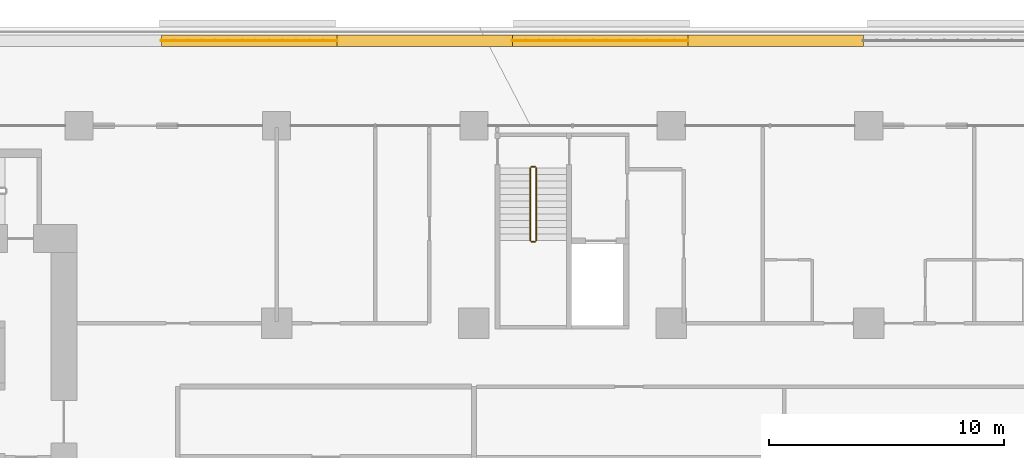
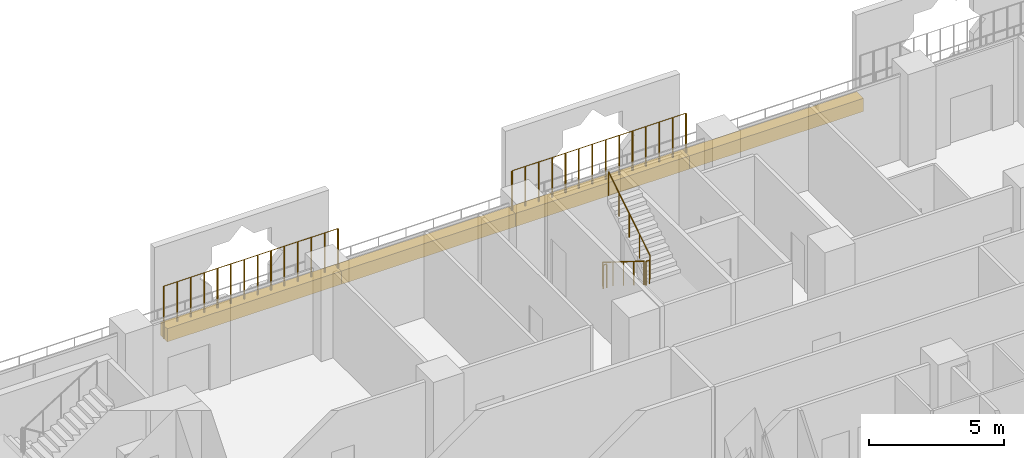
# One storey, part 28 of 29: 6 railings, 4 coverings.
"""IFC4 building model written with IfcOpenShell, lengths in metres."""

from ifc_helpers import new_model, si_unit, direction, frame, origin, origin_2d, place, context, subcontext, project, spatial, rectangle, circle, extrude, material, material_profile, profile_set, type_object, element, save


model = new_model("IFC4")

# Units and contexts
model_context = context("Model", 3, precision=1e-05, world=origin(), true_north=direction((0.0, 1.0)))
body_context = subcontext(model_context, "Body", "Model", "MODEL_VIEW")
ifc_project = project(units=[si_unit("LENGTHUNIT", "METRE"), si_unit("AREAUNIT", "SQUARE_METRE"), si_unit("VOLUMEUNIT", "CUBIC_METRE"), si_unit("PLANEANGLEUNIT", "RADIAN"), si_unit("MASSUNIT", "GRAM", prefix="KILO")], contexts=[model_context])

# Site, building, storey
site_placement = place(None, origin())
site = spatial("IfcSite", under=ifc_project, at=site_placement, CompositionType="ELEMENT")
building_placement = place(site_placement, origin())
building = spatial("IfcBuilding", under=site, at=building_placement, Name="Kawkab Arch Medical Tower", CompositionType="ELEMENT")
storey_placement = place(building_placement, frame((0.0, 0.0, 60.199951171875)))
storey = spatial("IfcBuildingStorey", under=building, at=storey_placement, Name="L13", CompositionType="ELEMENT", Elevation=60.199951171875)

# Coverings
ifc_material_1 = material(Name="Planting soil in a precast trough", Category="concrete")
ifc_material_profile = material_profile(ifc_material_1, rectangle(XDim=0.5, YDim=0.60009765625, at=origin_2d()), Name="Trough 500x600")
ifc_profile_set = profile_set([ifc_material_profile], Name="Planting soil in a precast trough")
covering_type = type_object("IfcCoveringType", Name="Planter trough 500 x 600", PredefinedType="USERDEFINED", material=ifc_profile_set)
for number, where, z_axis, x_axis, name in (
    (1, (28.695068359375, 3.6201171875, 0.300048828125), (1.0, 0.0, 0.0), (0.0, 1.0, 0.0), "Planter L13.LOG-01-01.23"),
    (2, (36.1650390625, 3.6201171875, 0.300048828125), (1.0, 0.0, 0.0), (0.0, 1.0, 0.0), "Planter L13.LOG-01-01.24"),
    (3, (43.635009765625, 3.6201171875, 0.300048828125), (1.0, 0.0, 0.0), (0.0, 1.0, 0.0), "Planter L13.LOG-01-01.25"),
):
    element("IfcCovering", number, at=place(storey_placement, frame(where, z_axis=z_axis, x_axis=x_axis)), inside=storey, type_object=covering_type, Name=name, ObjectType="PLANTER", PredefinedType="USERDEFINED", context=body_context, shape_type="SweptSolid", body=[
        extrude(rectangle(XDim=0.5, YDim=0.60009765625, at=origin_2d()), origin(), (0.0, 0.0, 1.0), 7.469970703125),
    ])
covering_placement = place(storey_placement, frame((51.10498046875, 3.6201171875, 0.300048828125), z_axis=(1.0, 0.0, 0.0), x_axis=(0.0, 1.0, 0.0)))
element("IfcCovering", 4, at=covering_placement, inside=storey, type_object=covering_type, Name="Planter L13.LOG-01-01.26", ObjectType="PLANTER", PredefinedType="USERDEFINED", context=body_context, shape_type="SweptSolid", body=[
    extrude(rectangle(XDim=0.5, YDim=0.60009765625, at=origin_2d()), origin(), (0.0, 0.0, 1.0), 7.470947265625),
])

# Railings
ifc_material_2 = material(Name="Bronze anodised aluminium trellis for climbing plants", Category="aluminium")
railing_type_1 = type_object("IfcRailingType", Name="Planting trellis 2400", PredefinedType="USERDEFINED", material=ifc_material_2)
railing_1_placement = place(storey_placement, frame((28.695068359375, 3.6201171875, 0.0)))
element("IfcRailing", 5, at=railing_1_placement, inside=storey, type_object=railing_type_1, Name="Planting trellis L13.LOG-01-01.23", ObjectType="TRELLIS", PredefinedType="USERDEFINED", context=body_context, shape_type="SweptSolid", body=[
    extrude(circle(Radius=0.01513671875, at=origin_2d()), frame((0.0, 0.0, 2.384765625), z_axis=(1.0, 0.0, 0.0), x_axis=(0.0, 1.0, 0.0)), (0.0, 0.0, 1.0), 7.469970703125),
    extrude(circle(Radius=0.030029296875, at=origin_2d()), origin(), (0.0, 0.0, 1.0), 2.369873046875),
    extrude(circle(Radius=0.030029296875, at=origin_2d()), frame((0.57470703125, 0.0, 0.0)), (0.0, 0.0, 1.0), 2.369873046875),
    extrude(circle(Radius=0.030029296875, at=origin_2d()), frame((1.149169921875, 0.0, 0.0)), (0.0, 0.0, 1.0), 2.369873046875),
    extrude(circle(Radius=0.030029296875, at=origin_2d()), frame((1.723876953125, 0.0, 0.0)), (0.0, 0.0, 1.0), 2.369873046875),
    extrude(circle(Radius=0.030029296875, at=origin_2d()), frame((2.29833984375, 0.0, 0.0)), (0.0, 0.0, 1.0), 2.369873046875),
    extrude(circle(Radius=0.030029296875, at=origin_2d()), frame((2.873046875, 0.0, 0.0)), (0.0, 0.0, 1.0), 2.369873046875),
    extrude(circle(Radius=0.030029296875, at=origin_2d()), frame((3.44775390625, 0.0, 0.0)), (0.0, 0.0, 1.0), 2.369873046875),
    extrude(circle(Radius=0.030029296875, at=origin_2d()), frame((4.022216796875, 0.0, 0.0)), (0.0, 0.0, 1.0), 2.369873046875),
    extrude(circle(Radius=0.030029296875, at=origin_2d()), frame((4.596923828125, 0.0, 0.0)), (0.0, 0.0, 1.0), 2.369873046875),
    extrude(circle(Radius=0.030029296875, at=origin_2d()), frame((5.171630859375, 0.0, 0.0)), (0.0, 0.0, 1.0), 2.369873046875),
    extrude(circle(Radius=0.030029296875, at=origin_2d()), frame((5.74609375, 0.0, 0.0)), (0.0, 0.0, 1.0), 2.369873046875),
    extrude(circle(Radius=0.030029296875, at=origin_2d()), frame((6.32080078125, 0.0, 0.0)), (0.0, 0.0, 1.0), 2.369873046875),
    extrude(circle(Radius=0.030029296875, at=origin_2d()), frame((6.895263671875, 0.0, 0.0)), (0.0, 0.0, 1.0), 2.369873046875),
    extrude(circle(Radius=0.030029296875, at=origin_2d()), frame((7.469970703125, 0.0, 0.0)), (0.0, 0.0, 1.0), 2.369873046875),
])
railing_2_placement = place(storey_placement, frame((43.635009765625, 3.6201171875, 0.0)))
element("IfcRailing", 6, at=railing_2_placement, inside=storey, type_object=railing_type_1, Name="Planting trellis L13.LOG-01-01.25", ObjectType="TRELLIS", PredefinedType="USERDEFINED", context=body_context, shape_type="SweptSolid", body=[
    extrude(circle(Radius=0.01513671875, at=origin_2d()), frame((0.0, 0.0, 2.384765625), z_axis=(1.0, 0.0, 0.0), x_axis=(0.0, 1.0, 0.0)), (0.0, 0.0, 1.0), 7.469970703125),
    extrude(circle(Radius=0.030029296875, at=origin_2d()), origin(), (0.0, 0.0, 1.0), 2.369873046875),
    extrude(circle(Radius=0.030029296875, at=origin_2d()), frame((0.57470703125, 0.0, 0.0)), (0.0, 0.0, 1.0), 2.369873046875),
    extrude(circle(Radius=0.030029296875, at=origin_2d()), frame((1.149169921875, 0.0, 0.0)), (0.0, 0.0, 1.0), 2.369873046875),
    extrude(circle(Radius=0.030029296875, at=origin_2d()), frame((1.723876953125, 0.0, 0.0)), (0.0, 0.0, 1.0), 2.369873046875),
    extrude(circle(Radius=0.030029296875, at=origin_2d()), frame((2.29833984375, 0.0, 0.0)), (0.0, 0.0, 1.0), 2.369873046875),
    extrude(circle(Radius=0.030029296875, at=origin_2d()), frame((2.873046875, 0.0, 0.0)), (0.0, 0.0, 1.0), 2.369873046875),
    extrude(circle(Radius=0.030029296875, at=origin_2d()), frame((3.44775390625, 0.0, 0.0)), (0.0, 0.0, 1.0), 2.369873046875),
    extrude(circle(Radius=0.030029296875, at=origin_2d()), frame((4.022216796875, 0.0, 0.0)), (0.0, 0.0, 1.0), 2.369873046875),
    extrude(circle(Radius=0.030029296875, at=origin_2d()), frame((4.596923828125, 0.0, 0.0)), (0.0, 0.0, 1.0), 2.369873046875),
    extrude(circle(Radius=0.030029296875, at=origin_2d()), frame((5.171630859375, 0.0, 0.0)), (0.0, 0.0, 1.0), 2.369873046875),
    extrude(circle(Radius=0.030029296875, at=origin_2d()), frame((5.74609375, 0.0, 0.0)), (0.0, 0.0, 1.0), 2.369873046875),
    extrude(circle(Radius=0.030029296875, at=origin_2d()), frame((6.32080078125, 0.0, 0.0)), (0.0, 0.0, 1.0), 2.369873046875),
    extrude(circle(Radius=0.030029296875, at=origin_2d()), frame((6.895263671875, 0.0, 0.0)), (0.0, 0.0, 1.0), 2.369873046875),
    extrude(circle(Radius=0.030029296875, at=origin_2d()), frame((7.469970703125, 0.0, 0.0)), (0.0, 0.0, 1.0), 2.369873046875),
])
ifc_material_3 = material(Name="Stainless steel", Category="steel")
railing_type_2 = type_object("IfcRailingType", Name="Stair guard 1100", PredefinedType="GUARDRAIL", material=ifc_material_3)
railing_3_placement = place(storey_placement, frame((44.39990234375, -1.800048828125, 0.175048828125)))
element("IfcRailing", 7, at=railing_3_placement, inside=storey, type_object=railing_type_2, Name="L13 ST5 stair guard 1", PredefinedType="GUARDRAIL", context=body_context, shape_type="SweptSolid", body=[
    extrude(circle(Radius=0.02392578125, at=origin_2d()), frame((0.0, 0.0, 1.076171875), z_axis=(0.0, -0.847979421464, 0.530029150871), x_axis=(1.0, 0.0, 0.0)), (0.0, 0.0, 1.0), 3.632080078125),
    extrude(circle(Radius=0.02099609375, at=origin_2d()), origin(), (0.0, 0.0, 1.0), 1.052001953125),
    extrude(circle(Radius=0.02099609375, at=origin_2d()), frame((0.0, -0.77001953125, 0.481201171875)), (0.0, 0.0, 1.0), 1.052001953125),
    extrude(circle(Radius=0.02099609375, at=origin_2d()), frame((0.0, -1.5400390625, 0.96240234375)), (0.0, 0.0, 1.0), 1.052001953125),
    extrude(circle(Radius=0.02099609375, at=origin_2d()), frame((0.0, -2.309814453125, 1.44384765625)), (0.0, 0.0, 1.0), 1.052001953125),
    extrude(circle(Radius=0.02099609375, at=origin_2d()), frame((0.0, -3.079833984375, 1.925048828125)), (0.0, 0.0, 1.0), 1.052001953125),
])
railing_4_placement = place(storey_placement, frame((44.449951171875, -4.929931640625, 2.10009765625)))
element("IfcRailing", 8, at=railing_4_placement, inside=storey, type_object=railing_type_2, Name="L13 ST5 stair guard 2", PredefinedType="GUARDRAIL", context=body_context, shape_type="SweptSolid", body=[
    extrude(circle(Radius=0.02392578125, at=origin_2d()), frame((0.0, 0.0, 1.076171875), z_axis=(1.0, 0.0, 0.0), x_axis=(0.0, 1.0, 0.0)), (0.0, 0.0, 1.0), 0.150146484375),
    extrude(circle(Radius=0.02099609375, at=origin_2d()), origin(), (0.0, 0.0, 1.0), 1.052001953125),
    extrude(circle(Radius=0.02099609375, at=origin_2d()), frame((0.150146484375, 0.0, 0.0)), (0.0, 0.0, 1.0), 1.052001953125),
])
railing_5_placement = place(storey_placement, frame((44.64990234375, -4.8798828125, 2.275146484375)))
element("IfcRailing", 9, at=railing_5_placement, inside=storey, type_object=railing_type_2, Name="L13 ST5 stair guard 3", PredefinedType="GUARDRAIL", context=body_context, shape_type="SweptSolid", body=[
    extrude(circle(Radius=0.02392578125, at=origin_2d()), frame((0.0, 0.0, 1.076171875), z_axis=(0.0, 0.848009633417, 0.529980812513), x_axis=(-1.0, 0.0, 0.0)), (0.0, 0.0, 1.0), 3.6318359375),
    extrude(circle(Radius=0.02099609375, at=origin_2d()), origin(), (0.0, 0.0, 1.0), 1.052001953125),
    extrude(circle(Radius=0.02099609375, at=origin_2d()), frame((0.0, 0.77001953125, 0.481201171875)), (0.0, 0.0, 1.0), 1.052001953125),
    extrude(circle(Radius=0.02099609375, at=origin_2d()), frame((0.0, 1.5400390625, 0.96240234375)), (0.0, 0.0, 1.0), 1.052001953125),
    extrude(circle(Radius=0.02099609375, at=origin_2d()), frame((0.0, 2.309814453125, 1.443603515625)), (0.0, 0.0, 1.0), 1.052001953125),
    extrude(circle(Radius=0.02099609375, at=origin_2d()), frame((0.0, 3.079833984375, 1.9248046875)), (0.0, 0.0, 1.0), 1.052001953125),
])
railing_6_placement = place(storey_placement, frame((44.449951171875, -1.75, 0.0)))
element("IfcRailing", 10, at=railing_6_placement, inside=storey, type_object=railing_type_2, Name="L13 ST5 stair guard 4", PredefinedType="GUARDRAIL", context=body_context, shape_type="SweptSolid", body=[
    extrude(circle(Radius=0.02392578125, at=origin_2d()), frame((0.0, 0.0, 1.076171875), z_axis=(1.0, 0.0, 0.0), x_axis=(0.0, 1.0, 0.0)), (0.0, 0.0, 1.0), 0.150146484375),
    extrude(circle(Radius=0.02099609375, at=origin_2d()), origin(), (0.0, 0.0, 1.0), 1.052001953125),
    extrude(circle(Radius=0.02099609375, at=origin_2d()), frame((0.150146484375, 0.0, 0.0)), (0.0, 0.0, 1.0), 1.052001953125),
])

save(model, "model.ifc")
